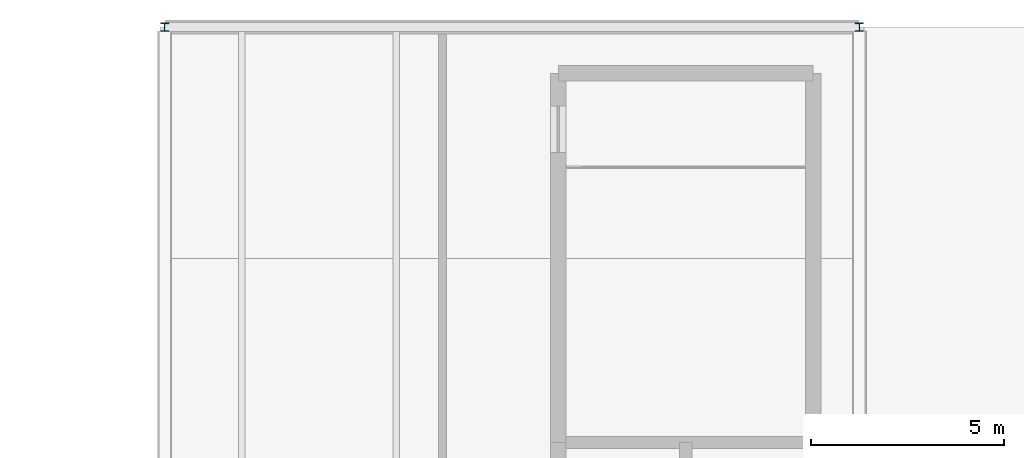
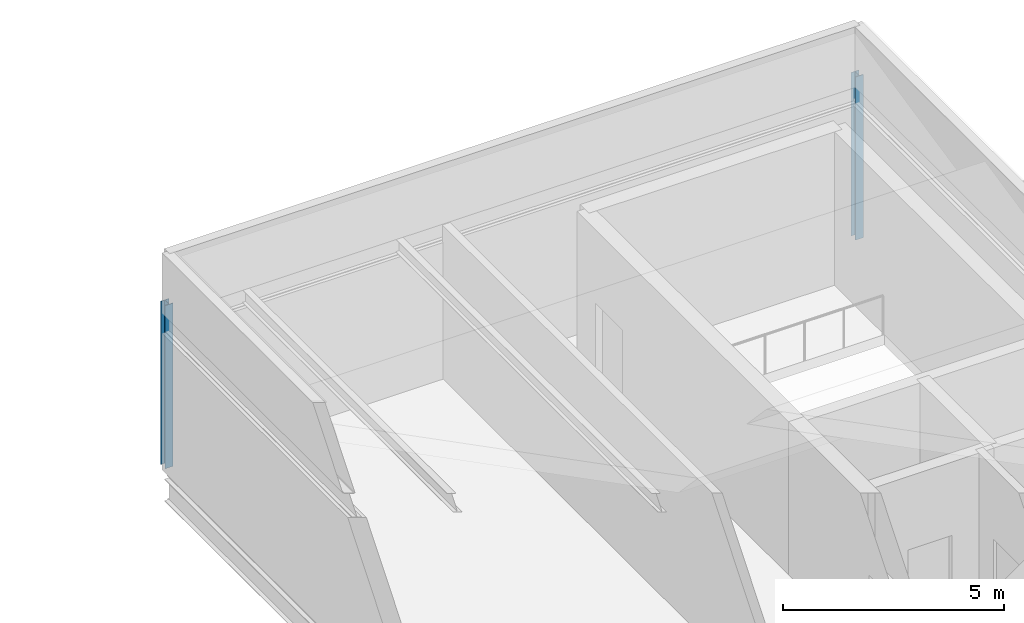
# One storey, part 6 of 13: 2 columns.
"""IFC4 building model written with IfcOpenShell, lengths in metres."""

from ifc_helpers import new_model, si_unit, direction, frame, origin, origin_2d, place, context, subcontext, project, spatial, i_section, extrude, material, material_profile, profile_set, type_object, element, save


model = new_model("IFC4")

# Units and contexts
model_context = context("Model", 3, precision=1e-05, world=origin(), true_north=direction((0.0, 1.0)))
body_context = subcontext(model_context, "Body", "Model", "MODEL_VIEW")
ifc_project = project(units=[si_unit("LENGTHUNIT", "METRE"), si_unit("AREAUNIT", "SQUARE_METRE"), si_unit("VOLUMEUNIT", "CUBIC_METRE"), si_unit("PLANEANGLEUNIT", "RADIAN"), si_unit("MASSUNIT", "GRAM", prefix="KILO")], contexts=[model_context])

# Site, building, storey
site_placement = place(None, origin())
site = spatial("IfcSite", under=ifc_project, at=site_placement, CompositionType="ELEMENT")
building_placement = place(site_placement, origin())
building = spatial("IfcBuilding", under=site, at=building_placement, Name="Kisiwana Market Hall", CompositionType="ELEMENT")
storey_placement = place(building_placement, frame((0.0, 0.0, 69.89990234375)))
storey = spatial("IfcBuildingStorey", under=building, at=storey_placement, Name="L16", CompositionType="ELEMENT", Elevation=69.89990234375)

# Columns
ifc_material = material(Name="Steel S355", Category="steel")
ifc_material_profile = material_profile(ifc_material, i_section(OverallWidth=0.205810546875, OverallDepth=0.209716796875, WebThickness=0.009521484375, FlangeThickness=0.01416015625, FilletRadius=0.01025390625, at=origin_2d()), Name="UC 203x203x60")
ifc_profile_set = profile_set([ifc_material_profile], Name="Steel S355")
column_type = type_object("IfcColumnType", Name="COL-STL-UC060", PredefinedType="COLUMN", material=ifc_profile_set)
for number, where, z_axis, x_axis, name in (
    (1, (171.0, 102.0, 0.0), (0.0, 0.0, 1.0), (1.0, 0.0, 0.0), "Column N/20 (L16) C-1523"),
    (2, (189.0, 102.0, 0.0), (0.0, 0.0, 1.0), (1.0, 0.0, 0.0), "Column N/22 (L16) C-1527"),
):
    element("IfcColumn", number, at=place(storey_placement, frame(where, z_axis=z_axis, x_axis=x_axis)), inside=storey, type_object=column_type, Name=name, PredefinedType="COLUMN", context=body_context, shape_type="SweptSolid", body=[
        extrude(i_section(OverallWidth=0.205810546875, OverallDepth=0.209716796875, WebThickness=0.009521484375, FlangeThickness=0.01416015625, FilletRadius=0.01025390625, at=origin_2d()), origin(), (0.0, 0.0, 1.0), 4.5),
    ])

save(model, "model.ifc")
